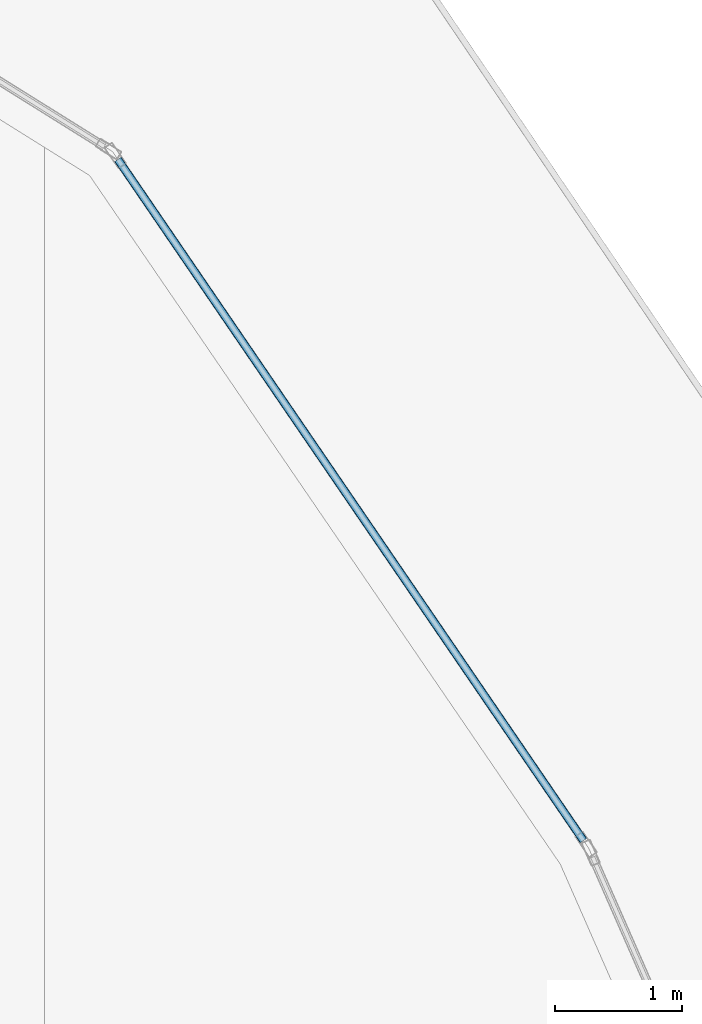
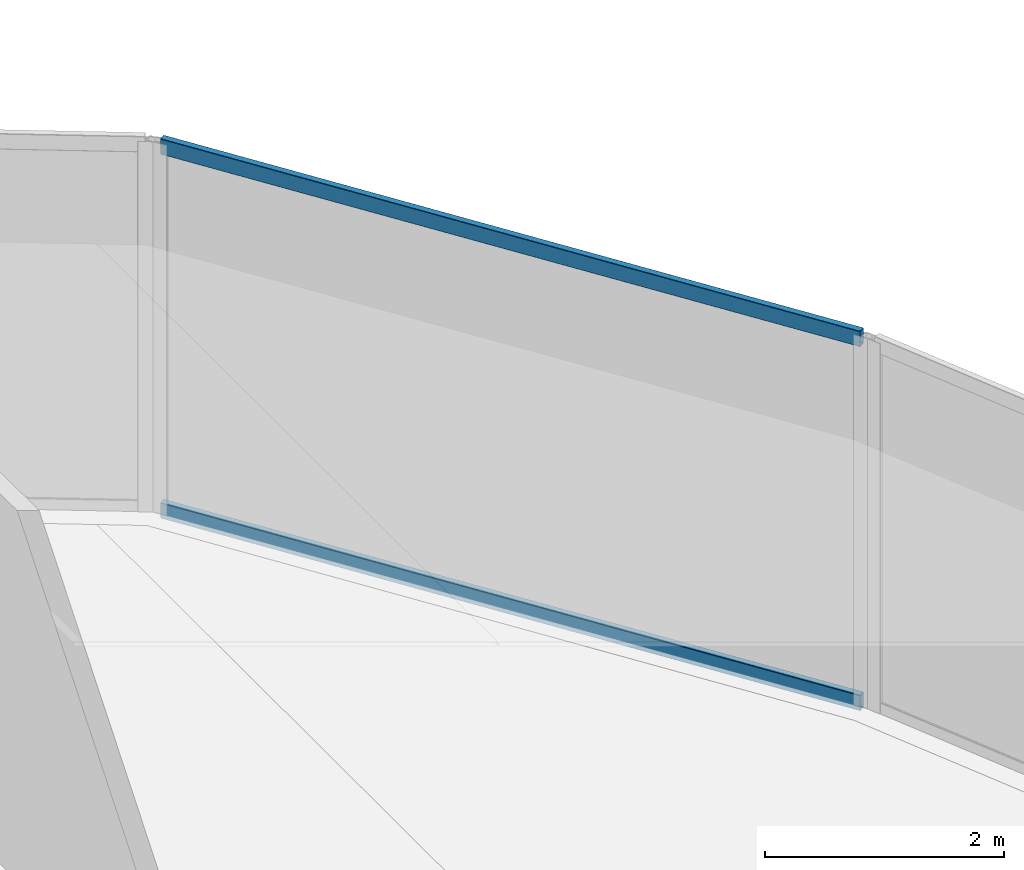
# One storey, part 25 of 43: 2 members, 1 element without a shape of its own.
"""IFC4 building model written with IfcOpenShell, lengths in metres."""

from ifc_helpers import new_model, si_unit, direction, frame, origin, origin_2d, place, context, subcontext, project, spatial, hollow_rectangle, extrude, material, layer, layer_set, material_profile, profile_set, type_object, element, aggregate, save


model = new_model("IFC4")

# Units and contexts
model_context = context("Model", 3, precision=1e-05, world=origin(), true_north=direction((0.0, 1.0)))
body_context = subcontext(model_context, "Body", "Model", "MODEL_VIEW")
ifc_project = project(units=[si_unit("LENGTHUNIT", "METRE"), si_unit("AREAUNIT", "SQUARE_METRE"), si_unit("VOLUMEUNIT", "CUBIC_METRE"), si_unit("PLANEANGLEUNIT", "RADIAN"), si_unit("MASSUNIT", "GRAM", prefix="KILO")], contexts=[model_context])

# Site, building, storey
site_placement = place(None, origin())
site = spatial("IfcSite", under=ifc_project, at=site_placement, CompositionType="ELEMENT")
building_placement = place(site_placement, origin())
building = spatial("IfcBuilding", under=site, at=building_placement, Name="Qorvath Tower", CompositionType="ELEMENT")
storey_placement = place(building_placement, frame((0.0, 0.0, 150.300048828125)))
storey = spatial("IfcBuildingStorey", under=building, at=storey_placement, Name="L34", CompositionType="ELEMENT", Elevation=150.300048828125)

# Curtain wall, members
ifc_material_1 = material(Name="Anodised aluminium and triple low-E glass", Category="aluminium")
ifc_layer = layer(ifc_material_1, 0.179931640625)
ifc_layer_set = layer_set([ifc_layer], Name="CW-SYS-5")
curtain_wall_type = type_object("IfcCurtainWallType", Name="CW-SYS-5", PredefinedType="NOTDEFINED", material=ifc_layer_set)
curtain_wall_placement = place(storey_placement, origin())
curtain_wall = element("IfcCurtainWall", 1, at=curtain_wall_placement, inside=storey, type_object=curtain_wall_type, Name="Curtain Wall CW-5 CW-T-L34-13.1", PredefinedType="NOTDEFINED")
ifc_material_2 = material(Name="Anodised aluminium 6063-T6", Category="aluminium")
ifc_material_profile = material_profile(ifc_material_2, hollow_rectangle(XDim=0.06494140625, YDim=0.159912109375, WallThickness=0.00341796875, InnerFilletRadius=0.00341796875, OuterFilletRadius=0.007080078125, at=origin_2d()), Name="CWT 160x65")
ifc_profile_set = profile_set([ifc_material_profile], Name="Anodised aluminium 6063-T6")
member_type = type_object("IfcMemberType", Name="CWT-160", PredefinedType="USERDEFINED", material=ifc_profile_set)
member_1_placement = place(storey_placement, frame((-0.67041015625, 17.39990234375, 0.032470703125), z_axis=(-0.564303384212, 0.82556749607, 0.0), x_axis=(-0.82556749607, -0.564303384212, 0.0)))
member_1 = element("IfcMember", 2, at=member_1_placement, type_object=member_type, Name="CW-5 transom 1.1", ObjectType="TRANSOM", PredefinedType="USERDEFINED", context=body_context, shape_type="SweptSolid", body=[
    extrude(hollow_rectangle(XDim=0.06494140625, YDim=0.159912109375, WallThickness=0.00341796875, InnerFilletRadius=0.00341796875, OuterFilletRadius=0.007080078125, at=origin_2d()), origin(), (0.0, 0.0, 1.0), 6.487060546875),
])
member_2_placement = place(storey_placement, frame((-0.67041015625, 17.39990234375, 3.74755859375), z_axis=(-0.564303384212, 0.82556749607, 0.0), x_axis=(-0.82556749607, -0.564303384212, 0.0)))
member_2 = element("IfcMember", 3, at=member_2_placement, type_object=member_type, Name="CW-5 transom 1.2", ObjectType="TRANSOM", PredefinedType="USERDEFINED", context=body_context, shape_type="SweptSolid", body=[
    extrude(hollow_rectangle(XDim=0.06494140625, YDim=0.159912109375, WallThickness=0.00341796875, InnerFilletRadius=0.00341796875, OuterFilletRadius=0.007080078125, at=origin_2d()), origin(), (0.0, 0.0, 1.0), 6.487060546875),
])
aggregate(curtain_wall, [member_1, member_2])

save(model, "model.ifc")
